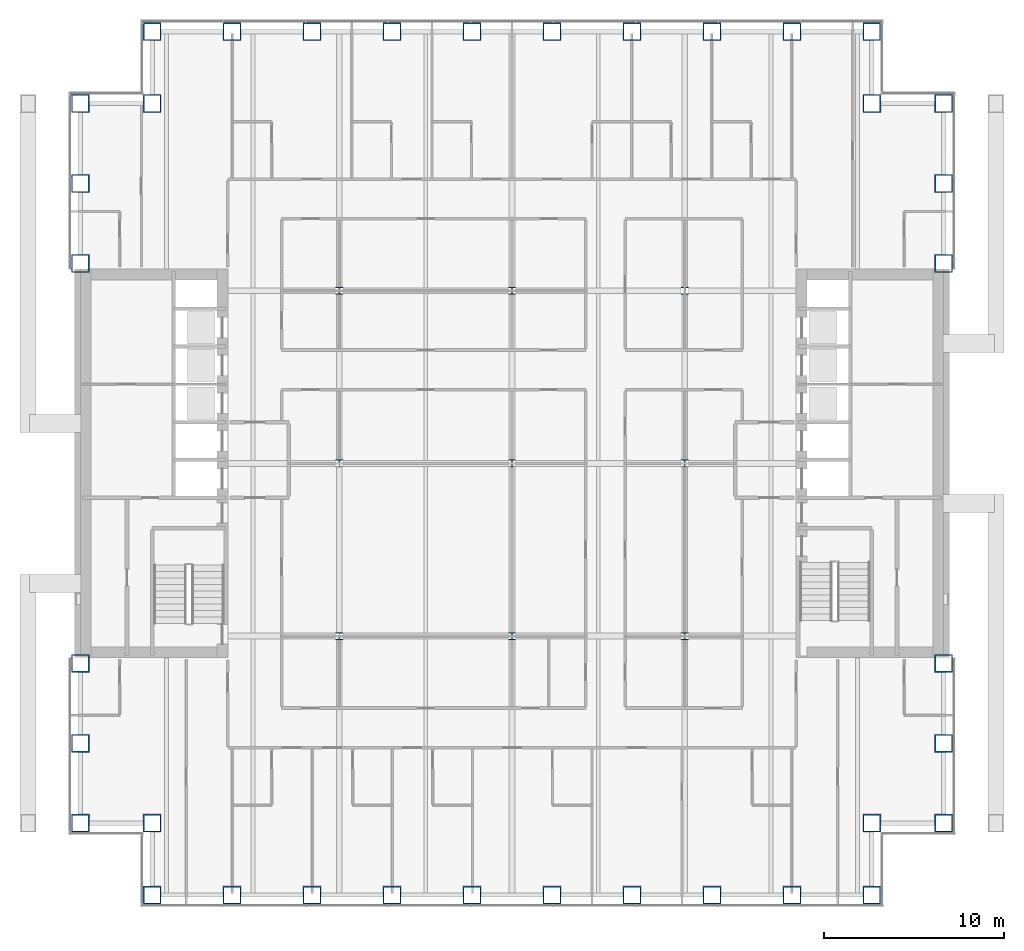
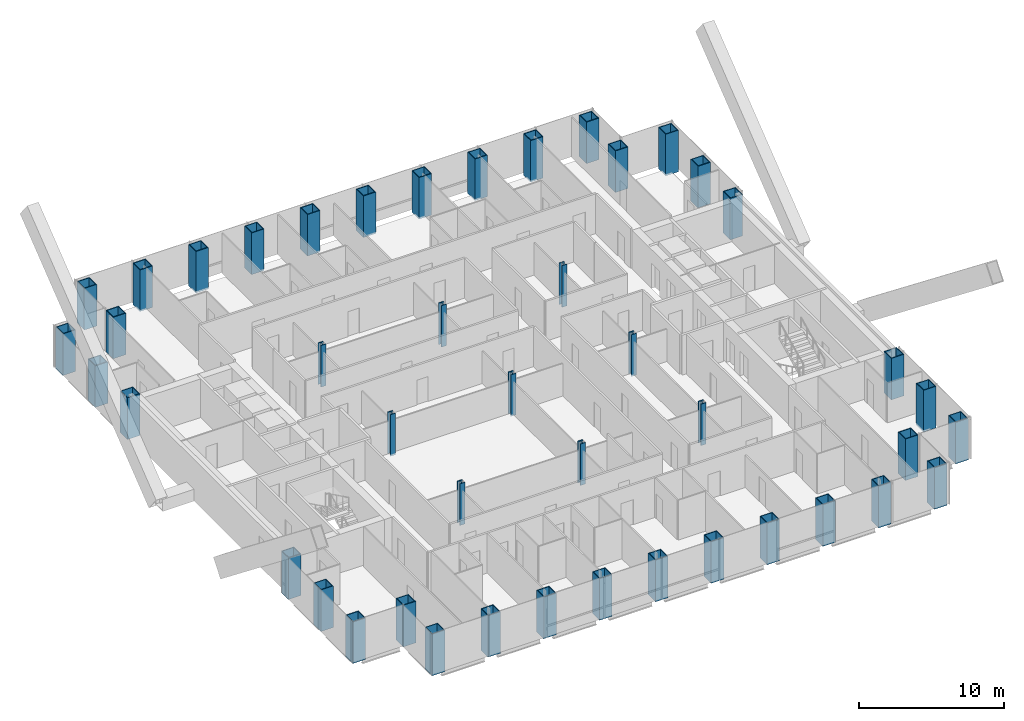
# One storey, part 1 of 23: 45 columns.
"""IFC4 building model written with IfcOpenShell, lengths in metres."""

import ifcopenshell
import ifcopenshell.guid

model = None  # the IFC model being written
_history = None  # IfcOwnerHistory: only IFC2X3 demands one
_inside = {}  # id of a spatial element -> (the spatial element, [elements in it])
_under = {}  # id of a project, library or spatial element -> (it, [spatial elements below it])
_declared = {}  # id of a project -> (the project, [libraries it declares])
_typed = {}  # id of a type object -> (the type object, [elements of that type])
_made_of = {}  # id of a material, layer set ... -> (it, [elements and type objects made of it])


def new_model(schema):
    """Start an empty IFC model of exactly this schema.

    Asked for "IFC4X3", IfcOpenShell would pick the latest addendum, in which some entities
    have other attributes; the version numbers below select the first issue.
    IFC2X3 requires an IfcOwnerHistory on every rooted entity: one is made here for all.
    """
    global model, _history
    if schema == "IFC4X3":
        model = ifcopenshell.file(schema_version=(4, 3, 0, 0))
    else:
        model = ifcopenshell.file(schema=schema)
    _inside.clear()
    _under.clear()
    _declared.clear()
    _typed.clear()
    _made_of.clear()
    _history = None
    if model.schema == "IFC2X3":
        org = make("IfcOrganization", Name="unknown")
        user = make(
            "IfcPersonAndOrganization",
            ThePerson=make("IfcPerson", FamilyName="unknown"),
            TheOrganization=org,
        )
        app = make(
            "IfcApplication",
            ApplicationDeveloper=org,
            Version="unknown",
            ApplicationFullName="unknown",
            ApplicationIdentifier="unknown",
        )
        _history = make(
            "IfcOwnerHistory",
            OwningUser=user,
            OwningApplication=app,
            ChangeAction="ADDED",
            CreationDate=0,
        )
    return model


def make(cls, **values):
    """One entity of the class cls with the attributes given. An attribute that is None is left unset."""
    return model.create_entity(
        cls, **{name: value for name, value in values.items() if value is not None}
    )


def rooted(cls, **values):
    """An entity with a GlobalId (a new one), such as an element, a storey or a relation."""
    return make(cls, GlobalId=ifcopenshell.guid.new(), OwnerHistory=_history, **values)


def si_unit(unit_type, name, prefix=None):
    """IfcSIUnit, for example si_unit("LENGTHUNIT", "METRE", prefix="MILLI")."""
    return make("IfcSIUnit", UnitType=unit_type, Prefix=prefix, Name=name)


def assignment(units):
    """IfcUnitAssignment: the units of a project."""
    return None if units is None else make("IfcUnitAssignment", Units=units)


def point(xyz):
    """IfcCartesianPoint."""
    return None if xyz is None else make("IfcCartesianPoint", Coordinates=xyz)


def direction(xyz):
    """IfcDirection."""
    return None if xyz is None else make("IfcDirection", DirectionRatios=xyz)


def frame(location, z_axis=None, x_axis=None):
    """IfcAxis2Placement3D, a coordinate frame: its origin and axes. An axis left out is left unset."""
    return make(
        "IfcAxis2Placement3D",
        Location=point(location),
        Axis=direction(z_axis),
        RefDirection=direction(x_axis),
    )


def frame_2d(location, x_axis=None):
    """IfcAxis2Placement2D, a coordinate frame in the plane: its origin and x axis."""
    return make(
        "IfcAxis2Placement2D", Location=point(location), RefDirection=direction(x_axis)
    )


def origin():
    """The frame at (0, 0, 0) with its axes left unset."""
    return frame((0.0, 0.0, 0.0))


def origin_2d():
    """The frame at (0, 0) in the plane with its x axis left unset."""
    return frame_2d((0.0, 0.0))


def place(relative_to, where):
    """IfcLocalPlacement: puts the frame where relative to a parent placement (None: the world)."""
    return make(
        "IfcLocalPlacement", PlacementRelTo=relative_to, RelativePlacement=where
    )


def context(
    kind, dimensions, precision=None, world=None, true_north=None, identifier=None
):
    """IfcGeometricRepresentationContext, for example the 3D "Model" context."""
    return make(
        "IfcGeometricRepresentationContext",
        ContextIdentifier=identifier,
        ContextType=kind,
        CoordinateSpaceDimension=dimensions,
        Precision=precision,
        WorldCoordinateSystem=world,
        TrueNorth=true_north,
    )


def subcontext(parent, identifier, kind, view, scale=None):
    """IfcGeometricRepresentationSubContext, for example "Body" below "Model"."""
    return make(
        "IfcGeometricRepresentationSubContext",
        ContextIdentifier=identifier,
        ContextType=kind,
        ParentContext=parent,
        TargetScale=scale,
        TargetView=view,
    )


def project(units=None, contexts=None):
    """IfcProject with its units and contexts."""
    return rooted(
        "IfcProject",
        Name="project",
        RepresentationContexts=contexts,
        UnitsInContext=assignment(units),
    )


def spatial(cls, under=None, at=None, **own):
    """A site, building, storey or space (cls), placed at a placement, below another one or the project."""
    s = rooted(cls, ObjectPlacement=at, **own)
    if under is not None:
        _under.setdefault(under.id(), (under, []))[1].append(s)
    return s


def profile(cls, at=None, kind="AREA", **sizes):
    """A parametric profile (cls). Its sizes go by their IFC names, for example OverallWidth=200.0."""
    return make(cls, ProfileType=kind, Position=at, **sizes)


def hollow_rectangle(**sizes):
    """IfcRectangleHollowProfileDef."""
    return profile("IfcRectangleHollowProfileDef", **sizes)


def i_section(**sizes):
    """IfcIShapeProfileDef."""
    return profile("IfcIShapeProfileDef", **sizes)


def extrude(swept, where, along, depth):
    """IfcExtrudedAreaSolid: the profile swept, set in the frame where, extruded along a direction by depth."""
    return make(
        "IfcExtrudedAreaSolid",
        SweptArea=swept,
        Position=where,
        ExtrudedDirection=direction(along),
        Depth=depth,
    )


def shape(context_of_items, identifier, shape_type, items):
    """IfcShapeRepresentation: the items that make up one representation, for example the "Body"."""
    return make(
        "IfcShapeRepresentation",
        ContextOfItems=context_of_items,
        RepresentationIdentifier=identifier,
        RepresentationType=shape_type,
        Items=items,
    )


def material(Name=None, Category=None):
    """IfcMaterial."""
    return make("IfcMaterial", Name=Name, Category=Category)


def material_profile(
    of_material, cross_section, Name=None, Category=None, Priority=None
):
    """IfcMaterialProfile: a cross section and its material."""
    return make(
        "IfcMaterialProfile",
        Name=Name,
        Material=of_material,
        Profile=cross_section,
        Priority=Priority,
        Category=Category,
    )


def profile_set(profiles, Name=None, composite=None):
    """IfcMaterialProfileSet."""
    return make(
        "IfcMaterialProfileSet",
        Name=Name,
        MaterialProfiles=profiles,
        CompositeProfile=composite,
    )


def made_of(thing, what):
    """Note that an element or type object is made of a material, layer set ...; save() writes the relation."""
    if what is not None:
        _made_of.setdefault(what.id(), (what, []))[1].append(thing)
    return thing


def type_object(cls, material=None, **own):
    """A type object (cls), such as IfcWallType, which elements share."""
    return made_of(rooted(cls, **own), material)


def element(
    cls,
    number,
    at=None,
    inside=None,
    cuts=None,
    type_object=None,
    material=None,
    context=None,
    identifier="Body",
    shape_type=None,
    held_by="IfcProductDefinitionShape",
    body=None,
    shapes=None,
    **own,
):
    """One element of the class cls, such as IfcWall. Its Tag is "e" and its number.

    at: its placement. inside: the storey or other place that contains it. cuts: it is an
    opening in that element (IfcRelVoidsElement). A single representation is given by context,
    identifier, shape_type and body (its items); several are given by shapes. held_by: the class
    of the entity that holds the representations. save() writes the other relations.
    """
    e = rooted(cls, Tag="e%d" % number, ObjectPlacement=at, **own)
    if body is not None:
        shapes = [shape(context, identifier, shape_type, body)]
    if shapes is not None:
        e.Representation = make(held_by, Representations=shapes)
    if inside is not None:
        _inside.setdefault(inside.id(), (inside, []))[1].append(e)
    if cuts is not None:
        rooted(
            "IfcRelVoidsElement", RelatingBuildingElement=cuts, RelatedOpeningElement=e
        )
    if type_object is not None:
        _typed.setdefault(type_object.id(), (type_object, []))[1].append(e)
    return made_of(e, material)


def aggregate(whole, parts):
    """IfcRelAggregates: a whole, such as a stair, and the parts it consists of."""
    return rooted("IfcRelAggregates", RelatingObject=whole, RelatedObjects=parts)


def save(model, path):
    """Write the relations noted so far, then the file.

    IfcRelAggregates (storeys below a building ...), IfcRelContainedInSpatialStructure (elements
    in a storey), IfcRelDefinesByType, IfcRelAssociatesMaterial and IfcRelDeclares: one each for
    every whole, place, type object, material and project.
    """
    for whole, parts in _under.values():
        aggregate(whole, parts)
    for where, things in _inside.values():
        rooted(
            "IfcRelContainedInSpatialStructure",
            RelatedElements=things,
            RelatingStructure=where,
        )
    for kind, things in _typed.values():
        rooted("IfcRelDefinesByType", RelatedObjects=things, RelatingType=kind)
    for what, things in _made_of.values():
        rooted("IfcRelAssociatesMaterial", RelatedObjects=things, RelatingMaterial=what)
    for by, libraries in _declared.values():
        rooted("IfcRelDeclares", RelatingContext=by, RelatedDefinitions=libraries)
    model.write(path)


model = new_model("IFC4")

# Units and contexts
model_context = context("Model", 3, precision=1e-05, world=origin(), true_north=direction((0.0, 1.0)))
body_context = subcontext(model_context, "Body", "Model", "MODEL_VIEW")
ifc_project = project(units=[si_unit("LENGTHUNIT", "METRE"), si_unit("AREAUNIT", "SQUARE_METRE"), si_unit("VOLUMEUNIT", "CUBIC_METRE"), si_unit("PLANEANGLEUNIT", "RADIAN"), si_unit("MASSUNIT", "GRAM", prefix="KILO")], contexts=[model_context])

# Site, building, storey
site_placement = place(None, origin())
site = spatial("IfcSite", under=ifc_project, at=site_placement, CompositionType="ELEMENT")
building_placement = place(site_placement, origin())
building = spatial("IfcBuilding", under=site, at=building_placement, Name="Cobrizo Arcos Hotel Tower", CompositionType="ELEMENT")
storey_placement = place(building_placement, frame((0.0, 0.0, 56.5)))
storey = spatial("IfcBuildingStorey", under=building, at=storey_placement, Name="L12", CompositionType="ELEMENT", Elevation=56.5)

# Columns
ifc_material_1 = material(Name="Steel ASTM A572 Grade 50", Category="steel")
ifc_material_profile_1 = material_profile(ifc_material_1, hollow_rectangle(XDim=1.0, YDim=1.0, WallThickness=0.06005859375, at=origin_2d()), Name="BOX 1000X1000X60")
ifc_profile_set_1 = profile_set([ifc_material_profile_1], Name="Steel ASTM A572 Grade 50")
column_type_1 = type_object("IfcColumnType", Name="BOX 1000X1000X60 column", PredefinedType="COLUMN", material=ifc_profile_set_1)
for number, where, z_axis, x_axis, name in (
    (1, (-20.0, 24.0, -0.14990234375), (0.0, 0.0, 1.0), (1.0, 0.0, 0.0), "Perimeter column C4, L12, no. 00"),
    (2, (-20.0, -24.0, -0.14990234375), (0.0, 0.0, 1.0), (1.0, 0.0, 0.0), "Perimeter column C4, L12, no. 01"),
    (3, (-15.555908203125, 24.0, -0.14990234375), (0.0, 0.0, 1.0), (1.0, 0.0, 0.0), "Perimeter column C4, L12, no. 02"),
    (4, (-15.555908203125, -24.0, -0.14990234375), (0.0, 0.0, 1.0), (1.0, 0.0, 0.0), "Perimeter column C4, L12, no. 03"),
    (5, (-11.111083984375, 24.0, -0.14990234375), (0.0, 0.0, 1.0), (1.0, 0.0, 0.0), "Perimeter column C4, L12, no. 04"),
    (6, (-11.111083984375, -24.0, -0.14990234375), (0.0, 0.0, 1.0), (1.0, 0.0, 0.0), "Perimeter column C4, L12, no. 05"),
    (7, (-6.6669921875, 24.0, -0.14990234375), (0.0, 0.0, 1.0), (1.0, 0.0, 0.0), "Perimeter column C4, L12, no. 06"),
    (8, (-6.6669921875, -24.0, -0.14990234375), (0.0, 0.0, 1.0), (1.0, 0.0, 0.0), "Perimeter column C4, L12, no. 07"),
    (9, (-2.221923828125, 24.0, -0.14990234375), (0.0, 0.0, 1.0), (1.0, 0.0, 0.0), "Perimeter column C4, L12, no. 08"),
    (10, (-2.221923828125, -24.0, -0.14990234375), (0.0, 0.0, 1.0), (1.0, 0.0, 0.0), "Perimeter column C4, L12, no. 09"),
    (11, (2.221923828125, 24.0, -0.14990234375), (0.0, 0.0, 1.0), (1.0, 0.0, 0.0), "Perimeter column C4, L12, no. 10"),
    (12, (2.221923828125, -24.0, -0.14990234375), (0.0, 0.0, 1.0), (1.0, 0.0, 0.0), "Perimeter column C4, L12, no. 11"),
    (13, (6.6669921875, 24.0, -0.14990234375), (0.0, 0.0, 1.0), (1.0, 0.0, 0.0), "Perimeter column C4, L12, no. 12"),
    (14, (6.6669921875, -24.0, -0.14990234375), (0.0, 0.0, 1.0), (1.0, 0.0, 0.0), "Perimeter column C4, L12, no. 13"),
    (15, (11.111083984375, 24.0, -0.14990234375), (0.0, 0.0, 1.0), (1.0, 0.0, 0.0), "Perimeter column C4, L12, no. 14"),
    (16, (11.111083984375, -24.0, -0.14990234375), (0.0, 0.0, 1.0), (1.0, 0.0, 0.0), "Perimeter column C4, L12, no. 15"),
    (17, (15.555908203125, 24.0, -0.14990234375), (0.0, 0.0, 1.0), (1.0, 0.0, 0.0), "Perimeter column C4, L12, no. 16"),
    (18, (15.555908203125, -24.0, -0.14990234375), (0.0, 0.0, 1.0), (1.0, 0.0, 0.0), "Perimeter column C4, L12, no. 17"),
    (19, (20.0, 24.0, -0.14990234375), (0.0, 0.0, 1.0), (1.0, 0.0, 0.0), "Perimeter column C4, L12, no. 18"),
    (20, (20.0, -24.0, -0.14990234375), (0.0, 0.0, 1.0), (1.0, 0.0, 0.0), "Perimeter column C4, L12, no. 19"),
    (21, (24.0, -20.0, -0.14990234375), (0.0, 0.0, 1.0), (1.0, 0.0, 0.0), "Perimeter column C4, L12, no. 20"),
    (22, (-24.0, -20.0, -0.14990234375), (0.0, 0.0, 1.0), (1.0, 0.0, 0.0), "Perimeter column C4, L12, no. 21"),
    (23, (24.0, -15.555908203125, -0.14990234375), (0.0, 0.0, 1.0), (1.0, 0.0, 0.0), "Perimeter column C4, L12, no. 22"),
    (24, (-24.0, -15.555908203125, -0.14990234375), (0.0, 0.0, 1.0), (1.0, 0.0, 0.0), "Perimeter column C4, L12, no. 23"),
    (25, (24.0, -11.111083984375, -0.14990234375), (0.0, 0.0, 1.0), (1.0, 0.0, 0.0), "Perimeter column C4, L12, no. 24"),
    (26, (-24.0, -11.111083984375, -0.14990234375), (0.0, 0.0, 1.0), (1.0, 0.0, 0.0), "Perimeter column C4, L12, no. 25"),
    (27, (24.0, 11.111083984375, -0.14990234375), (0.0, 0.0, 1.0), (1.0, 0.0, 0.0), "Perimeter column C4, L12, no. 26"),
    (28, (-24.0, 11.111083984375, -0.14990234375), (0.0, 0.0, 1.0), (1.0, 0.0, 0.0), "Perimeter column C4, L12, no. 27"),
    (29, (24.0, 15.555908203125, -0.14990234375), (0.0, 0.0, 1.0), (1.0, 0.0, 0.0), "Perimeter column C4, L12, no. 28"),
    (30, (-24.0, 15.555908203125, -0.14990234375), (0.0, 0.0, 1.0), (1.0, 0.0, 0.0), "Perimeter column C4, L12, no. 29"),
    (31, (24.0, 20.0, -0.14990234375), (0.0, 0.0, 1.0), (1.0, 0.0, 0.0), "Perimeter column C4, L12, no. 30"),
    (32, (-24.0, 20.0, -0.14990234375), (0.0, 0.0, 1.0), (1.0, 0.0, 0.0), "Perimeter column C4, L12, no. 31"),
    (33, (-20.0, -20.0, -0.14990234375), (0.0, 0.0, 1.0), (1.0, 0.0, 0.0), "Perimeter column C4, L12, no. 32"),
    (34, (-20.0, 20.0, -0.14990234375), (0.0, 0.0, 1.0), (1.0, 0.0, 0.0), "Perimeter column C4, L12, no. 33"),
    (35, (20.0, -20.0, -0.14990234375), (0.0, 0.0, 1.0), (1.0, 0.0, 0.0), "Perimeter column C4, L12, no. 34"),
    (36, (20.0, 20.0, -0.14990234375), (0.0, 0.0, 1.0), (1.0, 0.0, 0.0), "Perimeter column C4, L12, no. 35"),
):
    element("IfcColumn", number, at=place(storey_placement, frame(where, z_axis=z_axis, x_axis=x_axis)), inside=storey, type_object=column_type_1, Name=name, PredefinedType="COLUMN", context=body_context, shape_type="SweptSolid", body=[
        extrude(hollow_rectangle(XDim=1.0, YDim=1.0, WallThickness=0.06005859375, at=origin_2d()), origin(), (0.0, 0.0, 1.0), 3.5),
    ])
ifc_material_2 = material(Name="Steel ASTM A992 Grade 50", Category="steel")
ifc_material_profile_2 = material_profile(ifc_material_2, i_section(OverallWidth=0.408935546875, OverallDepth=0.42431640625, WebThickness=0.03271484375, FlangeThickness=0.052490234375, at=origin_2d()), Name="W14X283")
ifc_profile_set_2 = profile_set([ifc_material_profile_2], Name="Steel ASTM A992 Grade 50")
column_type_2 = type_object("IfcColumnType", Name="W14X283 interior column", PredefinedType="COLUMN", material=ifc_profile_set_2)
for number, where, z_axis, x_axis, name in (
    (37, (-9.60009765625, -9.60009765625, -0.14990234375), (0.0, 0.0, 1.0), (1.0, 0.0, 0.0), "Interior column C5, L12, no. 00"),
    (38, (-9.60009765625, 0.0, -0.14990234375), (0.0, 0.0, 1.0), (1.0, 0.0, 0.0), "Interior column C5, L12, no. 01"),
    (39, (-9.60009765625, 9.60009765625, -0.14990234375), (0.0, 0.0, 1.0), (1.0, 0.0, 0.0), "Interior column C5, L12, no. 02"),
    (40, (0.0, -9.60009765625, -0.14990234375), (0.0, 0.0, 1.0), (1.0, 0.0, 0.0), "Interior column C5, L12, no. 03"),
    (41, (0.0, 0.0, -0.14990234375), (0.0, 0.0, 1.0), (1.0, 0.0, 0.0), "Interior column C5, L12, no. 04"),
    (42, (0.0, 9.60009765625, -0.14990234375), (0.0, 0.0, 1.0), (1.0, 0.0, 0.0), "Interior column C5, L12, no. 05"),
    (43, (9.60009765625, -9.60009765625, -0.14990234375), (0.0, 0.0, 1.0), (1.0, 0.0, 0.0), "Interior column C5, L12, no. 06"),
    (44, (9.60009765625, 0.0, -0.14990234375), (0.0, 0.0, 1.0), (1.0, 0.0, 0.0), "Interior column C5, L12, no. 07"),
    (45, (9.60009765625, 9.60009765625, -0.14990234375), (0.0, 0.0, 1.0), (1.0, 0.0, 0.0), "Interior column C5, L12, no. 08"),
):
    element("IfcColumn", number, at=place(storey_placement, frame(where, z_axis=z_axis, x_axis=x_axis)), inside=storey, type_object=column_type_2, Name=name, PredefinedType="COLUMN", context=body_context, shape_type="SweptSolid", body=[
        extrude(i_section(OverallWidth=0.408935546875, OverallDepth=0.42431640625, WebThickness=0.03271484375, FlangeThickness=0.052490234375, at=origin_2d()), origin(), (0.0, 0.0, 1.0), 3.5),
    ])

save(model, "model.ifc")
